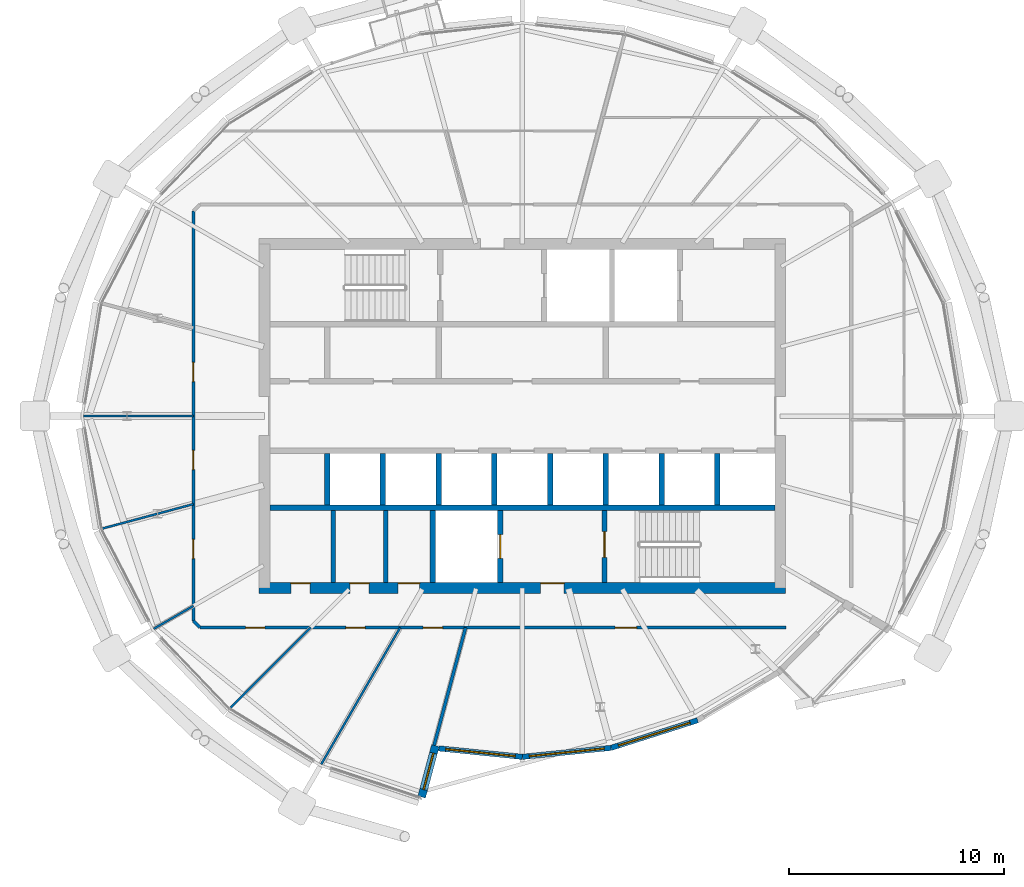
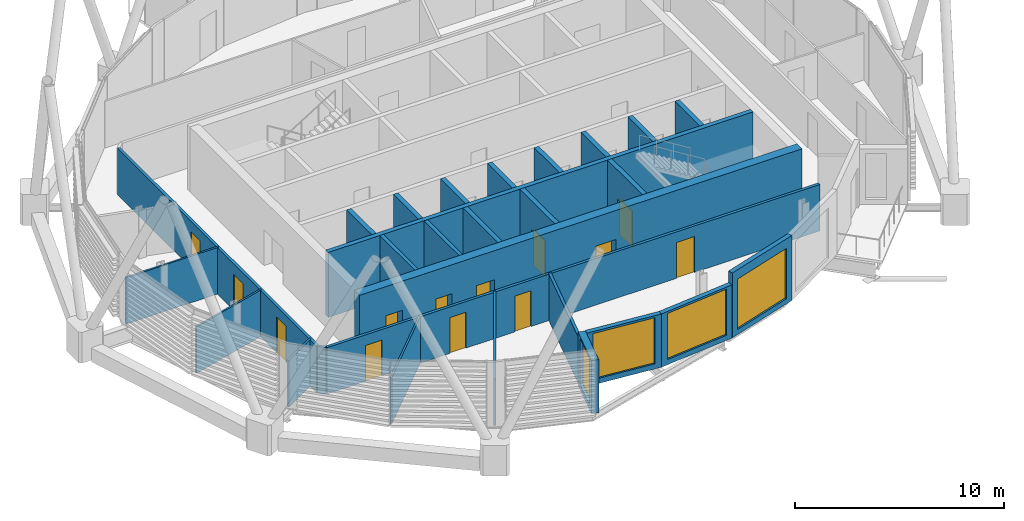
# One storey, part 19 of 32: 28 walls, 13 doors, 4 windows, 17 openings.
"""IFC4 building model written with IfcOpenShell, lengths in metres."""

import ifcopenshell
import ifcopenshell.guid

model = None  # the IFC model being written
_history = None  # IfcOwnerHistory: only IFC2X3 demands one
_inside = {}  # id of a spatial element -> (the spatial element, [elements in it])
_under = {}  # id of a project, library or spatial element -> (it, [spatial elements below it])
_declared = {}  # id of a project -> (the project, [libraries it declares])
_typed = {}  # id of a type object -> (the type object, [elements of that type])
_made_of = {}  # id of a material, layer set ... -> (it, [elements and type objects made of it])


def new_model(schema):
    """Start an empty IFC model of exactly this schema.

    Asked for "IFC4X3", IfcOpenShell would pick the latest addendum, in which some entities
    have other attributes; the version numbers below select the first issue.
    IFC2X3 requires an IfcOwnerHistory on every rooted entity: one is made here for all.
    """
    global model, _history
    if schema == "IFC4X3":
        model = ifcopenshell.file(schema_version=(4, 3, 0, 0))
    else:
        model = ifcopenshell.file(schema=schema)
    _inside.clear()
    _under.clear()
    _declared.clear()
    _typed.clear()
    _made_of.clear()
    _history = None
    if model.schema == "IFC2X3":
        org = make("IfcOrganization", Name="unknown")
        user = make(
            "IfcPersonAndOrganization",
            ThePerson=make("IfcPerson", FamilyName="unknown"),
            TheOrganization=org,
        )
        app = make(
            "IfcApplication",
            ApplicationDeveloper=org,
            Version="unknown",
            ApplicationFullName="unknown",
            ApplicationIdentifier="unknown",
        )
        _history = make(
            "IfcOwnerHistory",
            OwningUser=user,
            OwningApplication=app,
            ChangeAction="ADDED",
            CreationDate=0,
        )
    return model


def make(cls, **values):
    """One entity of the class cls with the attributes given. An attribute that is None is left unset."""
    return model.create_entity(
        cls, **{name: value for name, value in values.items() if value is not None}
    )


def rooted(cls, **values):
    """An entity with a GlobalId (a new one), such as an element, a storey or a relation."""
    return make(cls, GlobalId=ifcopenshell.guid.new(), OwnerHistory=_history, **values)


def si_unit(unit_type, name, prefix=None):
    """IfcSIUnit, for example si_unit("LENGTHUNIT", "METRE", prefix="MILLI")."""
    return make("IfcSIUnit", UnitType=unit_type, Prefix=prefix, Name=name)


def assignment(units):
    """IfcUnitAssignment: the units of a project."""
    return None if units is None else make("IfcUnitAssignment", Units=units)


def point(xyz):
    """IfcCartesianPoint."""
    return None if xyz is None else make("IfcCartesianPoint", Coordinates=xyz)


def direction(xyz):
    """IfcDirection."""
    return None if xyz is None else make("IfcDirection", DirectionRatios=xyz)


def frame(location, z_axis=None, x_axis=None):
    """IfcAxis2Placement3D, a coordinate frame: its origin and axes. An axis left out is left unset."""
    return make(
        "IfcAxis2Placement3D",
        Location=point(location),
        Axis=direction(z_axis),
        RefDirection=direction(x_axis),
    )


def frame_2d(location, x_axis=None):
    """IfcAxis2Placement2D, a coordinate frame in the plane: its origin and x axis."""
    return make(
        "IfcAxis2Placement2D", Location=point(location), RefDirection=direction(x_axis)
    )


def origin():
    """The frame at (0, 0, 0) with its axes left unset."""
    return frame((0.0, 0.0, 0.0))


def place(relative_to, where):
    """IfcLocalPlacement: puts the frame where relative to a parent placement (None: the world)."""
    return make(
        "IfcLocalPlacement", PlacementRelTo=relative_to, RelativePlacement=where
    )


def context(
    kind, dimensions, precision=None, world=None, true_north=None, identifier=None
):
    """IfcGeometricRepresentationContext, for example the 3D "Model" context."""
    return make(
        "IfcGeometricRepresentationContext",
        ContextIdentifier=identifier,
        ContextType=kind,
        CoordinateSpaceDimension=dimensions,
        Precision=precision,
        WorldCoordinateSystem=world,
        TrueNorth=true_north,
    )


def subcontext(parent, identifier, kind, view, scale=None):
    """IfcGeometricRepresentationSubContext, for example "Body" below "Model"."""
    return make(
        "IfcGeometricRepresentationSubContext",
        ContextIdentifier=identifier,
        ContextType=kind,
        ParentContext=parent,
        TargetScale=scale,
        TargetView=view,
    )


def project(units=None, contexts=None):
    """IfcProject with its units and contexts."""
    return rooted(
        "IfcProject",
        Name="project",
        RepresentationContexts=contexts,
        UnitsInContext=assignment(units),
    )


def spatial(cls, under=None, at=None, **own):
    """A site, building, storey or space (cls), placed at a placement, below another one or the project."""
    s = rooted(cls, ObjectPlacement=at, **own)
    if under is not None:
        _under.setdefault(under.id(), (under, []))[1].append(s)
    return s


def profile(cls, at=None, kind="AREA", **sizes):
    """A parametric profile (cls). Its sizes go by their IFC names, for example OverallWidth=200.0."""
    return make(cls, ProfileType=kind, Position=at, **sizes)


def rectangle(**sizes):
    """IfcRectangleProfileDef."""
    return profile("IfcRectangleProfileDef", **sizes)


def extrude(swept, where, along, depth):
    """IfcExtrudedAreaSolid: the profile swept, set in the frame where, extruded along a direction by depth."""
    return make(
        "IfcExtrudedAreaSolid",
        SweptArea=swept,
        Position=where,
        ExtrudedDirection=direction(along),
        Depth=depth,
    )


def shape(context_of_items, identifier, shape_type, items):
    """IfcShapeRepresentation: the items that make up one representation, for example the "Body"."""
    return make(
        "IfcShapeRepresentation",
        ContextOfItems=context_of_items,
        RepresentationIdentifier=identifier,
        RepresentationType=shape_type,
        Items=items,
    )


def material(Name=None, Category=None):
    """IfcMaterial."""
    return make("IfcMaterial", Name=Name, Category=Category)


def layer(
    of_material, thickness, ventilated=None, Name=None, Category=None, Priority=None
):
    """IfcMaterialLayer: one layer of a wall or slab, of a material (None: an air gap)."""
    return make(
        "IfcMaterialLayer",
        Material=of_material,
        LayerThickness=thickness,
        IsVentilated=ventilated,
        Name=Name,
        Category=Category,
        Priority=Priority,
    )


def layer_set(layers, Name=None):
    """IfcMaterialLayerSet."""
    return make("IfcMaterialLayerSet", MaterialLayers=layers, LayerSetName=Name)


def made_of(thing, what):
    """Note that an element or type object is made of a material, layer set ...; save() writes the relation."""
    if what is not None:
        _made_of.setdefault(what.id(), (what, []))[1].append(thing)
    return thing


def type_object(cls, material=None, **own):
    """A type object (cls), such as IfcWallType, which elements share."""
    return made_of(rooted(cls, **own), material)


def element(
    cls,
    number,
    at=None,
    inside=None,
    cuts=None,
    type_object=None,
    material=None,
    context=None,
    identifier="Body",
    shape_type=None,
    held_by="IfcProductDefinitionShape",
    body=None,
    shapes=None,
    **own,
):
    """One element of the class cls, such as IfcWall. Its Tag is "e" and its number.

    at: its placement. inside: the storey or other place that contains it. cuts: it is an
    opening in that element (IfcRelVoidsElement). A single representation is given by context,
    identifier, shape_type and body (its items); several are given by shapes. held_by: the class
    of the entity that holds the representations. save() writes the other relations.
    """
    e = rooted(cls, Tag="e%d" % number, ObjectPlacement=at, **own)
    if body is not None:
        shapes = [shape(context, identifier, shape_type, body)]
    if shapes is not None:
        e.Representation = make(held_by, Representations=shapes)
    if inside is not None:
        _inside.setdefault(inside.id(), (inside, []))[1].append(e)
    if cuts is not None:
        rooted(
            "IfcRelVoidsElement", RelatingBuildingElement=cuts, RelatedOpeningElement=e
        )
    if type_object is not None:
        _typed.setdefault(type_object.id(), (type_object, []))[1].append(e)
    return made_of(e, material)


def fill(opening, filler):
    """IfcRelFillsElement: the door or window that sits in an opening."""
    return rooted(
        "IfcRelFillsElement",
        RelatingOpeningElement=opening,
        RelatedBuildingElement=filler,
    )


def aggregate(whole, parts):
    """IfcRelAggregates: a whole, such as a stair, and the parts it consists of."""
    return rooted("IfcRelAggregates", RelatingObject=whole, RelatedObjects=parts)


def save(model, path):
    """Write the relations noted so far, then the file.

    IfcRelAggregates (storeys below a building ...), IfcRelContainedInSpatialStructure (elements
    in a storey), IfcRelDefinesByType, IfcRelAssociatesMaterial and IfcRelDeclares: one each for
    every whole, place, type object, material and project.
    """
    for whole, parts in _under.values():
        aggregate(whole, parts)
    for where, things in _inside.values():
        rooted(
            "IfcRelContainedInSpatialStructure",
            RelatedElements=things,
            RelatingStructure=where,
        )
    for kind, things in _typed.values():
        rooted("IfcRelDefinesByType", RelatedObjects=things, RelatingType=kind)
    for what, things in _made_of.values():
        rooted("IfcRelAssociatesMaterial", RelatedObjects=things, RelatingMaterial=what)
    for by, libraries in _declared.values():
        rooted("IfcRelDeclares", RelatingContext=by, RelatedDefinitions=libraries)
    model.write(path)


model = new_model("IFC4")

# Units and contexts
model_context = context("Model", 3, precision=1e-05, world=origin(), true_north=direction((0.0, 1.0)))
body_context = subcontext(model_context, "Body", "Model", "MODEL_VIEW")
ifc_project = project(units=[si_unit("LENGTHUNIT", "METRE"), si_unit("AREAUNIT", "SQUARE_METRE"), si_unit("VOLUMEUNIT", "CUBIC_METRE"), si_unit("PLANEANGLEUNIT", "RADIAN"), si_unit("MASSUNIT", "GRAM", prefix="KILO")], contexts=[model_context])

# Site, building, storey
site_placement = place(None, origin())
site = spatial("IfcSite", under=ifc_project, at=site_placement, CompositionType="ELEMENT")
building_placement = place(site_placement, origin())
building = spatial("IfcBuilding", under=site, at=building_placement, Name="Rimbun Link Towers", CompositionType="ELEMENT")
storey_placement = place(building_placement, frame((0.0, 0.0, 233.300048828125)))
storey = spatial("IfcBuildingStorey", under=building, at=storey_placement, Name="L57", CompositionType="ELEMENT", Elevation=233.300048828125)

# Wall, opening, window
ifc_material_1 = material(Name="Dark enamelled glass spandrel on insulated aluminium backpan", Category="aluminium")
ifc_layer_1 = layer(ifc_material_1, 0.25)
ifc_layer_set_1 = layer_set([ifc_layer_1], Name="CS dark enamelled spandrel wall 250")
wall_type_1 = type_object("IfcWallType", Name="CS dark enamelled spandrel wall 250", PredefinedType="STANDARD", material=ifc_layer_set_1)
wall_1_placement = place(storey_placement, frame((-31.75, -15.862548828125, 0.0), z_axis=(0.0, 0.0, 1.0), x_axis=(-0.994917663839, 0.100691817844, 0.0)))
wall_1 = element("IfcWall", 1, at=wall_1_placement, inside=storey, type_object=wall_type_1, Name="Crease spandrel wall", PredefinedType="STANDARD", context=body_context, shape_type="SweptSolid", body=[
    extrude(rectangle(XDim=3.906005859375, YDim=0.25, at=frame_2d((1.953125, 0.0))), origin(), (0.0, 0.0, 1.0), 3.116943359375),
])
opening_1_placement = place(wall_1_placement, frame((0.328125, 0.0, 0.300048828125)))
opening_1 = element("IfcOpeningElement", 2, at=opening_1_placement, cuts=wall_1, Name="Opening WR32H270", PredefinedType="OPENING", context=body_context, shape_type="SweptSolid", body=[
    extrude(rectangle(XDim=3.25, YDim=2.699951171875, at=frame_2d((1.625, 1.35009765625))), frame((0.0, 0.135009765625, 0.0), z_axis=(0.0, -1.0, 0.0), x_axis=(1.0, 0.0, 0.0)), (0.0, 0.0, 1.0), 0.27001953125),
])
ifc_material_2 = material(Name="Aluminium framed fixed window, dark tinted low-e glass", Category="aluminium")
window_type_1 = type_object("IfcWindowType", Name="WR ribbon window 3250X2700", PartitioningType="SINGLE_PANEL", PredefinedType="WINDOW", material=ifc_material_2)
window_1_placement = place(opening_1_placement, origin())
window_1 = element("IfcWindow", 3, at=window_1_placement, inside=storey, type_object=window_type_1, Name="Crease ribbon window", OverallHeight=2.699951171875, OverallWidth=3.25, PartitioningType="SINGLE_PANEL", PredefinedType="WINDOW", context=body_context, shape_type="SweptSolid", body=[
    extrude(rectangle(XDim=3.25, YDim=2.699951171875, at=frame_2d((1.625, 1.35009765625))), frame((0.0, 0.030029296875, 0.0), z_axis=(0.0, -1.0, 0.0), x_axis=(1.0, 0.0, 0.0)), (0.0, 0.0, 1.0), 0.06005859375),
])
fill(opening_1, window_1)

wall_2_placement = place(storey_placement, frame((-27.619140625, -15.444580078125, 0.0), z_axis=(0.0, 0.0, 1.0), x_axis=(-0.994920070472, -0.100668035499, 0.0)))
wall_2 = element("IfcWall", 4, at=wall_2_placement, inside=storey, type_object=wall_type_1, Name="Crease spandrel wall", PredefinedType="STANDARD", context=body_context, shape_type="SweptSolid", body=[
    extrude(rectangle(XDim=4.15185546875, YDim=0.25, at=frame_2d((2.075927734375, 0.0))), origin(), (0.0, 0.0, 1.0), 3.116943359375),
])
opening_2_placement = place(wall_2_placement, frame((0.325927734375, 0.0, 0.300048828125)))
opening_2 = element("IfcOpeningElement", 5, at=opening_2_placement, cuts=wall_2, Name="Opening WR35H270", PredefinedType="OPENING", context=body_context, shape_type="SweptSolid", body=[
    extrude(rectangle(XDim=3.5, YDim=2.699951171875, at=frame_2d((1.75, 1.35009765625))), frame((0.0, 0.135009765625, 0.0), z_axis=(0.0, -1.0, 0.0), x_axis=(1.0, 0.0, 0.0)), (0.0, 0.0, 1.0), 0.27001953125),
])
ifc_material_3 = material(Name="Aluminium framed fixed window, dark tinted low-e glass", Category="aluminium")
window_type_2 = type_object("IfcWindowType", Name="WR ribbon window 3500X2700", PartitioningType="SINGLE_PANEL", PredefinedType="WINDOW", material=ifc_material_3)
window_2_placement = place(opening_2_placement, origin())
window_2 = element("IfcWindow", 6, at=window_2_placement, inside=storey, type_object=window_type_2, Name="Crease ribbon window", OverallHeight=2.699951171875, OverallWidth=3.5, PartitioningType="SINGLE_PANEL", PredefinedType="WINDOW", context=body_context, shape_type="SweptSolid", body=[
    extrude(rectangle(XDim=3.5, YDim=2.699951171875, at=frame_2d((1.75, 1.35009765625))), frame((0.0, 0.030029296875, 0.0), z_axis=(0.0, -1.0, 0.0), x_axis=(1.0, 0.0, 0.0)), (0.0, 0.0, 1.0), 0.06005859375),
])
fill(opening_2, window_2)

wall_3_placement = place(storey_placement, frame((-23.58984375, -14.159423828125, 0.0), z_axis=(0.0, 0.0, 1.0), x_axis=(-0.952713269999, -0.303870737596, 0.0)))
wall_3 = element("IfcWall", 7, at=wall_3_placement, inside=storey, type_object=wall_type_1, Name="Crease spandrel wall", PredefinedType="STANDARD", context=body_context, shape_type="SweptSolid", body=[
    extrude(rectangle(XDim=4.229248046875, YDim=0.25, at=frame_2d((2.11474609375, 0.0))), origin(), (0.0, 0.0, 1.0), 3.800048828125),
])
opening_3_placement = place(wall_3_placement, frame((0.364501953125, 0.0, 0.300048828125)))
opening_3 = element("IfcOpeningElement", 8, at=opening_3_placement, cuts=wall_3, Name="Opening WR35H295", PredefinedType="OPENING", context=body_context, shape_type="SweptSolid", body=[
    extrude(rectangle(XDim=3.5, YDim=2.949951171875, at=frame_2d((1.75, 1.47509765625))), frame((0.0, 0.135009765625, 0.0), z_axis=(0.0, -1.0, 0.0), x_axis=(1.0, 0.0, 0.0)), (0.0, 0.0, 1.0), 0.27001953125),
])
ifc_material_4 = material(Name="Aluminium framed fixed window, dark tinted low-e glass", Category="aluminium")
window_type_3 = type_object("IfcWindowType", Name="WR ribbon window 3500X2950", PartitioningType="SINGLE_PANEL", PredefinedType="WINDOW", material=ifc_material_4)
window_3_placement = place(opening_3_placement, origin())
window_3 = element("IfcWindow", 9, at=window_3_placement, inside=storey, type_object=window_type_3, Name="Crease ribbon window", OverallHeight=2.949951171875, OverallWidth=3.5, PartitioningType="SINGLE_PANEL", PredefinedType="WINDOW", context=body_context, shape_type="SweptSolid", body=[
    extrude(rectangle(XDim=3.5, YDim=2.949951171875, at=frame_2d((1.75, 1.47509765625))), frame((0.0, 0.030029296875, 0.0), z_axis=(0.0, -1.0, 0.0), x_axis=(1.0, 0.0, 0.0)), (0.0, 0.0, 1.0), 0.06005859375),
])
fill(opening_3, window_3)

ifc_material_5 = material(Name="Dark enamelled glass spandrel on insulated aluminium backpan", Category="aluminium")
ifc_layer_2 = layer(ifc_material_5, 0.3701171875)
ifc_layer_set_2 = layer_set([ifc_layer_2], Name="CS dark enamelled spandrel wall 370")
wall_type_2 = type_object("IfcWallType", Name="CS dark enamelled spandrel wall 370", PredefinedType="STANDARD", material=ifc_layer_set_2)
wall_4_placement = place(storey_placement, frame((-35.792724609375, -15.33837890625, 0.0), z_axis=(0.0, 0.0, 1.0), x_axis=(-0.258716401805, -0.965953323633, 0.0)))
wall_4 = element("IfcWall", 10, at=wall_4_placement, inside=storey, type_object=wall_type_2, Name="Crease spandrel wall", PredefinedType="STANDARD", context=body_context, shape_type="SweptSolid", body=[
    extrude(rectangle(XDim=2.47998046875, YDim=0.3701171875, at=frame_2d((1.239990234375, 0.0))), origin(), (0.0, 0.0, 1.0), 3.116943359375),
])
opening_4_placement = place(wall_4_placement, frame((0.364990234375, 0.0, 0.300048828125)))
opening_4 = element("IfcOpeningElement", 11, at=opening_4_placement, cuts=wall_4, Name="Opening WR18H270", PredefinedType="OPENING", context=body_context, shape_type="SweptSolid", body=[
    extrude(rectangle(XDim=1.75, YDim=2.699951171875, at=frame_2d((0.875, 1.35009765625))), frame((0.0, 0.195068359375, 0.0), z_axis=(0.0, -1.0, 0.0), x_axis=(1.0, 0.0, 0.0)), (0.0, 0.0, 1.0), 0.39013671875),
])
ifc_material_6 = material(Name="Aluminium framed fixed window, dark tinted low-e glass", Category="aluminium")
window_type_4 = type_object("IfcWindowType", Name="WR ribbon window 1750X2700", PartitioningType="SINGLE_PANEL", PredefinedType="WINDOW", material=ifc_material_6)
window_4_placement = place(opening_4_placement, origin())
window_4 = element("IfcWindow", 12, at=window_4_placement, inside=storey, type_object=window_type_4, Name="Crease ribbon window", OverallHeight=2.699951171875, OverallWidth=1.75, PartitioningType="SINGLE_PANEL", PredefinedType="WINDOW", context=body_context, shape_type="SweptSolid", body=[
    extrude(rectangle(XDim=1.75, YDim=2.699951171875, at=frame_2d((0.875, 1.35009765625))), frame((0.0, 0.030029296875, 0.0), z_axis=(0.0, -1.0, 0.0), x_axis=(1.0, 0.0, 0.0)), (0.0, 0.0, 1.0), 0.06005859375),
])
fill(opening_4, window_4)

# Walls
ifc_material_7 = material(Name="Masonry blockwork", Category="masonry")
ifc_layer_3 = layer(ifc_material_7, 0.199951171875)
ifc_layer_set_3 = layer_set([ifc_layer_3], Name="Core partition 200")
wall_type_3 = type_object("IfcWallType", Name="Core partition 200", PredefinedType="PARTITIONING", material=ifc_layer_set_3)
for number, where, z_axis, x_axis, name in (
    (13, (-40.550048828125, -4.39990234375, 0.0), (0.0, 0.0, 1.0), (0.0, -1.0, 0.0), "L57 T1 core wall C1"),
    (14, (-38.10009765625, -4.39990234375, 0.0), (0.0, 0.0, 1.0), (0.0, -1.0, 0.0), "L57 T1 core wall C2"),
):
    element("IfcWall", number, at=place(storey_placement, frame(where, z_axis=z_axis, x_axis=x_axis)), inside=storey, type_object=wall_type_3, Name=name, PredefinedType="PARTITIONING", context=body_context, shape_type="SweptSolid", body=[
        extrude(rectangle(XDim=3.35009765625, YDim=0.199951171875, at=frame_2d((1.675048828125, 0.0))), origin(), (0.0, 0.0, 1.0), 3.800048828125),
    ])

# Wall, openings, doors
ifc_material_8 = material(Name="Concrete C60/75", Category="concrete")
ifc_layer_4 = layer(ifc_material_8, 0.5)
ifc_layer_set_4 = layer_set([ifc_layer_4], Name="Core shear wall 500")
wall_type_4 = type_object("IfcWallType", Name="Core shear wall 500", PredefinedType="SHEAR", material=ifc_layer_set_4)
wall_5_placement = place(storey_placement, frame((-44.0, -8.0, 0.0), z_axis=(0.0, 0.0, 1.0), x_axis=(1.0, 0.0, 0.0)))
wall_5 = element("IfcWall", 15, at=wall_5_placement, inside=storey, type_object=wall_type_4, Name="L57 T1 core wall S", PredefinedType="SHEAR", context=body_context, shape_type="SweptSolid", body=[
    extrude(rectangle(XDim=24.5, YDim=0.5, at=frame_2d((12.25, 0.0))), origin(), (0.0, 0.0, 1.0), 3.800048828125),
])
opening_5_placement = place(wall_5_placement, frame((13.10009765625, 0.0, 0.0)))
opening_5 = element("IfcOpeningElement", 16, at=opening_5_placement, cuts=wall_5, Name="Opening C1DCF01S", PredefinedType="OPENING", context=body_context, shape_type="SweptSolid", body=[
    extrude(rectangle(XDim=1.10009765625, YDim=2.10009765625, at=frame_2d((0.550048828125, 1.050048828125))), frame((0.0, 0.260009765625, 0.0), z_axis=(0.0, -1.0, 0.0), x_axis=(1.0, 0.0, 0.0)), (0.0, 0.0, 1.0), 0.52001953125),
])
opening_6_placement = place(wall_5_placement, frame((1.47509765625, 0.0, 0.0)))
opening_6 = element("IfcOpeningElement", 17, at=opening_6_placement, cuts=wall_5, Name="Opening C1DWC02S", PredefinedType="OPENING", context=body_context, shape_type="SweptSolid", body=[
    extrude(rectangle(XDim=0.89990234375, YDim=2.10009765625, at=frame_2d((0.449951171875, 1.050048828125))), frame((0.0, 0.260009765625, 0.0), z_axis=(0.0, -1.0, 0.0), x_axis=(1.0, 0.0, 0.0)), (0.0, 0.0, 1.0), 0.52001953125),
])
opening_7_placement = place(wall_5_placement, frame((4.22509765625, 0.0, 0.0)))
opening_7 = element("IfcOpeningElement", 18, at=opening_7_placement, cuts=wall_5, Name="Opening C1DWC03S", PredefinedType="OPENING", context=body_context, shape_type="SweptSolid", body=[
    extrude(rectangle(XDim=0.89990234375, YDim=2.10009765625, at=frame_2d((0.449951171875, 1.050048828125))), frame((0.0, 0.260009765625, 0.0), z_axis=(0.0, -1.0, 0.0), x_axis=(1.0, 0.0, 0.0)), (0.0, 0.0, 1.0), 0.52001953125),
])
opening_8_placement = place(wall_5_placement, frame((6.47509765625, 0.0, 0.0)))
opening_8 = element("IfcOpeningElement", 19, at=opening_8_placement, cuts=wall_5, Name="Opening C1DAW04S", PredefinedType="OPENING", context=body_context, shape_type="SweptSolid", body=[
    extrude(rectangle(XDim=1.0, YDim=2.10009765625, at=frame_2d((0.5, 1.050048828125))), frame((0.0, 0.260009765625, 0.0), z_axis=(0.0, -1.0, 0.0), x_axis=(1.0, 0.0, 0.0)), (0.0, 0.0, 1.0), 0.52001953125),
])
ifc_material_9 = material(Name="Timber", Category="wood")
door_type_1 = type_object("IfcDoorType", Name="Accessible WC door", OperationType="SINGLE_SWING_LEFT", PredefinedType="DOOR", material=ifc_material_9)
door_1_placement = place(opening_8_placement, origin())
door_1 = element("IfcDoor", 20, at=door_1_placement, inside=storey, type_object=door_type_1, Name="L57 T1 accessible wc door", OperationType="SINGLE_SWING_RIGHT", OverallHeight=2.10009765625, OverallWidth=1.0, PredefinedType="DOOR", context=body_context, shape_type="SweptSolid", body=[
    extrude(rectangle(XDim=1.0, YDim=2.10009765625, at=frame_2d((0.5, 1.050048828125))), frame((0.0, 0.25, 0.0), z_axis=(0.0, -1.0, 0.0), x_axis=(1.0, 0.0, 0.0)), (0.0, 0.0, 1.0), 0.050048828125),
])
fill(opening_8, door_1)
ifc_material_10 = material(Name="Steel fire door set", Category="steel")
door_type_2 = type_object("IfcDoorType", Name="Core fire door single", OperationType="SINGLE_SWING_LEFT", PredefinedType="DOOR", material=ifc_material_10)
door_2_placement = place(opening_5_placement, origin())
door_2 = element("IfcDoor", 21, at=door_2_placement, inside=storey, type_object=door_type_2, Name="L57 T1 firefighting lobby s door", OperationType="SINGLE_SWING_LEFT", OverallHeight=2.10009765625, OverallWidth=1.10009765625, PredefinedType="DOOR", context=body_context, shape_type="SweptSolid", body=[
    extrude(rectangle(XDim=1.10009765625, YDim=2.10009765625, at=frame_2d((0.550048828125, 1.050048828125))), frame((0.0, 0.25, 0.0), z_axis=(0.0, -1.0, 0.0), x_axis=(1.0, 0.0, 0.0)), (0.0, 0.0, 1.0), 0.050048828125),
])
fill(opening_5, door_2)
ifc_material_11 = material(Name="Timber", Category="wood")
door_type_3 = type_object("IfcDoorType", Name="WC door", OperationType="SINGLE_SWING_LEFT", PredefinedType="DOOR", material=ifc_material_11)
door_3_placement = place(opening_6_placement, origin())
door_3 = element("IfcDoor", 22, at=door_3_placement, inside=storey, type_object=door_type_3, Name="L57 T1 male wc door", OperationType="SINGLE_SWING_RIGHT", OverallHeight=2.10009765625, OverallWidth=0.89990234375, PredefinedType="DOOR", context=body_context, shape_type="SweptSolid", body=[
    extrude(rectangle(XDim=0.89990234375, YDim=2.10009765625, at=frame_2d((0.449951171875, 1.050048828125))), frame((0.0, 0.25, 0.0), z_axis=(0.0, -1.0, 0.0), x_axis=(1.0, 0.0, 0.0)), (0.0, 0.0, 1.0), 0.050048828125),
])
fill(opening_6, door_3)
door_4_placement = place(opening_7_placement, origin())
door_4 = element("IfcDoor", 23, at=door_4_placement, inside=storey, type_object=door_type_3, Name="L57 T1 female wc door", OperationType="SINGLE_SWING_RIGHT", OverallHeight=2.10009765625, OverallWidth=0.89990234375, PredefinedType="DOOR", context=body_context, shape_type="SweptSolid", body=[
    extrude(rectangle(XDim=0.89990234375, YDim=2.10009765625, at=frame_2d((0.449951171875, 1.050048828125))), frame((0.0, 0.25, 0.0), z_axis=(0.0, -1.0, 0.0), x_axis=(1.0, 0.0, 0.0)), (0.0, 0.0, 1.0), 0.050048828125),
])
fill(opening_7, door_4)

ifc_material_12 = material(Name="Plasterboard on steel stud, mineral wool", Category="steel")
ifc_layer_5 = layer(ifc_material_12, 0.14990234375)
ifc_layer_set_5 = layer_set([ifc_layer_5], Name="Corridor wall EI 30 150 mm")
wall_type_5 = type_object("IfcWallType", Name="Corridor wall EI 30 150 mm", PredefinedType="PARTITIONING", material=ifc_layer_set_5)
wall_6_placement = place(storey_placement, frame((-19.467041015625, -9.844970703125, 0.0), z_axis=(0.0, 0.0, 1.0), x_axis=(-1.0, 0.0, 0.0)))
wall_6 = element("IfcWall", 24, at=wall_6_placement, inside=storey, type_object=wall_type_5, Name="Corridor wall EI 30 150 mm", PredefinedType="PARTITIONING", context=body_context, shape_type="SweptSolid", body=[
    extrude(rectangle(XDim=27.28662109375, YDim=0.14990234375, at=frame_2d((13.643310546875, 0.0))), origin(), (0.0, 0.0, 1.0), 2.721923828125),
])
opening_9_placement = place(wall_6_placement, frame((24.25732421875, 0.0, 0.0)))
opening_9 = element("IfcOpeningElement", 25, at=opening_9_placement, cuts=wall_6, Name="Opening D02", PredefinedType="OPENING", context=body_context, shape_type="SweptSolid", body=[
    extrude(rectangle(XDim=0.89990234375, YDim=2.10009765625, at=frame_2d((0.449951171875, 1.050048828125))), frame((0.0, 0.0849609375, 0.0), z_axis=(0.0, -1.0, 0.0), x_axis=(1.0, 0.0, 0.0)), (0.0, 0.0, 1.0), 0.169921875),
])
opening_10_placement = place(wall_6_placement, frame((19.597412109375, 0.0, 0.0)))
opening_10 = element("IfcOpeningElement", 26, at=opening_10_placement, cuts=wall_6, Name="Opening D02", PredefinedType="OPENING", context=body_context, shape_type="SweptSolid", body=[
    extrude(rectangle(XDim=0.89990234375, YDim=2.10009765625, at=frame_2d((0.449951171875, 1.050048828125))), frame((0.0, 0.0849609375, 0.0), z_axis=(0.0, -1.0, 0.0), x_axis=(1.0, 0.0, 0.0)), (0.0, 0.0, 1.0), 0.169921875),
])
opening_11_placement = place(wall_6_placement, frame((15.993896484375, 0.0, 0.0)))
opening_11 = element("IfcOpeningElement", 27, at=opening_11_placement, cuts=wall_6, Name="Opening D02", PredefinedType="OPENING", context=body_context, shape_type="SweptSolid", body=[
    extrude(rectangle(XDim=0.89990234375, YDim=2.10009765625, at=frame_2d((0.449951171875, 1.050048828125))), frame((0.0, 0.0849609375, 0.0), z_axis=(0.0, -1.0, 0.0), x_axis=(1.0, 0.0, 0.0)), (0.0, 0.0, 1.0), 0.169921875),
])
opening_12_placement = place(wall_6_placement, frame((6.96044921875, 0.0, 0.0)))
opening_12 = element("IfcOpeningElement", 28, at=opening_12_placement, cuts=wall_6, Name="Opening D01", PredefinedType="OPENING", context=body_context, shape_type="SweptSolid", body=[
    extrude(rectangle(XDim=1.0, YDim=2.10009765625, at=frame_2d((0.5, 1.050048828125))), frame((0.0, 0.0849609375, 0.0), z_axis=(0.0, -1.0, 0.0), x_axis=(1.0, 0.0, 0.0)), (0.0, 0.0, 1.0), 0.169921875),
])
ifc_material_13 = material(Name="Fire-resisting timber door leaf", Category="wood")
door_type_4 = type_object("IfcDoorType", Name="Fire door FD30S 1000", OperationType="NOTDEFINED", PredefinedType="DOOR", material=ifc_material_13)
door_5_placement = place(opening_12_placement, origin())
door_5 = element("IfcDoor", 29, at=door_5_placement, inside=storey, type_object=door_type_4, Name="Fire door FD30S 1000 to Terrace office", OperationType="SINGLE_SWING_RIGHT", OverallHeight=2.10009765625, OverallWidth=1.0, PredefinedType="DOOR", context=body_context, shape_type="SweptSolid", body=[
    extrude(rectangle(XDim=1.0, YDim=2.10009765625, at=frame_2d((0.5, 1.050048828125))), frame((0.0, 0.02490234375, 0.0), z_axis=(0.0, -1.0, 0.0), x_axis=(1.0, 0.0, 0.0)), (0.0, 0.0, 1.0), 0.050048828125),
])
fill(opening_12, door_5)
ifc_material_14 = material(Name="Fire-resisting timber door leaf", Category="wood")
door_type_5 = type_object("IfcDoorType", Name="Fire door FD30S 900", OperationType="NOTDEFINED", PredefinedType="DOOR", material=ifc_material_14)
door_6_placement = place(opening_9_placement, origin())
door_6 = element("IfcDoor", 30, at=door_6_placement, inside=storey, type_object=door_type_5, Name="Fire door FD30S 900 to Boardroom", OperationType="SINGLE_SWING_LEFT", OverallHeight=2.10009765625, OverallWidth=0.89990234375, PredefinedType="DOOR", context=body_context, shape_type="SweptSolid", body=[
    extrude(rectangle(XDim=0.89990234375, YDim=2.10009765625, at=frame_2d((0.449951171875, 1.050048828125))), frame((0.0, 0.02490234375, 0.0), z_axis=(0.0, -1.0, 0.0), x_axis=(1.0, 0.0, 0.0)), (0.0, 0.0, 1.0), 0.050048828125),
])
fill(opening_9, door_6)
door_7_placement = place(opening_10_placement, origin())
door_7 = element("IfcDoor", 31, at=door_7_placement, inside=storey, type_object=door_type_5, Name="Fire door FD30S 900 to Meeting room", OperationType="SINGLE_SWING_RIGHT", OverallHeight=2.10009765625, OverallWidth=0.89990234375, PredefinedType="DOOR", context=body_context, shape_type="SweptSolid", body=[
    extrude(rectangle(XDim=0.89990234375, YDim=2.10009765625, at=frame_2d((0.449951171875, 1.050048828125))), frame((0.0, 0.02490234375, 0.0), z_axis=(0.0, -1.0, 0.0), x_axis=(1.0, 0.0, 0.0)), (0.0, 0.0, 1.0), 0.050048828125),
])
fill(opening_10, door_7)
door_8_placement = place(opening_11_placement, origin())
door_8 = element("IfcDoor", 32, at=door_8_placement, inside=storey, type_object=door_type_5, Name="Fire door FD30S 900 to Executive office", OperationType="SINGLE_SWING_LEFT", OverallHeight=2.10009765625, OverallWidth=0.89990234375, PredefinedType="DOOR", context=body_context, shape_type="SweptSolid", body=[
    extrude(rectangle(XDim=0.89990234375, YDim=2.10009765625, at=frame_2d((0.449951171875, 1.050048828125))), frame((0.0, 0.02490234375, 0.0), z_axis=(0.0, -1.0, 0.0), x_axis=(1.0, 0.0, 0.0)), (0.0, 0.0, 1.0), 0.050048828125),
])
fill(opening_11, door_8)

# Wall
wall_7_placement = place(storey_placement, frame((-47.054931640625, -9.543701171875, 0.0), z_axis=(0.0, 0.0, 1.0), x_axis=(0.707106781187, -0.707106781187, 0.0)))
element("IfcWall", 33, at=wall_7_placement, inside=storey, type_object=wall_type_5, Name="Corridor wall EI 30 150 mm", PredefinedType="PARTITIONING", context=body_context, shape_type="SweptSolid", body=[
    extrude(rectangle(XDim=0.426025390625, YDim=0.14990234375, at=frame_2d((0.212890625, 0.0))), origin(), (0.0, 0.0, 1.0), 2.721923828125),
])

# Wall, openings, doors
wall_8_placement = place(storey_placement, frame((-47.054931640625, -9.543701171875, 0.0), z_axis=(0.0, 0.0, 1.0), x_axis=(0.0, 1.0, 0.0)))
wall_8 = element("IfcWall", 34, at=wall_8_placement, inside=storey, type_object=wall_type_5, Name="Corridor wall EI 30 150 mm", PredefinedType="PARTITIONING", context=body_context, shape_type="SweptSolid", body=[
    extrude(rectangle(XDim=19.08740234375, YDim=0.14990234375, at=frame_2d((9.543701171875, 0.0))), origin(), (0.0, 0.0, 1.0), 2.721923828125),
])
opening_13_placement = place(wall_8_placement, frame((11.144287109375, 0.0, 0.0)))
opening_13 = element("IfcOpeningElement", 35, at=opening_13_placement, cuts=wall_8, Name="Opening D02", PredefinedType="OPENING", context=body_context, shape_type="SweptSolid", body=[
    extrude(rectangle(XDim=0.89990234375, YDim=2.10009765625, at=frame_2d((0.449951171875, 1.050048828125))), frame((0.0, 0.0849609375, 0.0), z_axis=(0.0, -1.0, 0.0), x_axis=(1.0, 0.0, 0.0)), (0.0, 0.0, 1.0), 0.169921875),
])
opening_14_placement = place(wall_8_placement, frame((7.043212890625, 0.0, 0.0)))
opening_14 = element("IfcOpeningElement", 36, at=opening_14_placement, cuts=wall_8, Name="Opening D02", PredefinedType="OPENING", context=body_context, shape_type="SweptSolid", body=[
    extrude(rectangle(XDim=0.89990234375, YDim=2.10009765625, at=frame_2d((0.449951171875, 1.050048828125))), frame((0.0, 0.0849609375, 0.0), z_axis=(0.0, -1.0, 0.0), x_axis=(1.0, 0.0, 0.0)), (0.0, 0.0, 1.0), 0.169921875),
])
opening_15_placement = place(wall_8_placement, frame((2.9033203125, 0.0, 0.0)))
opening_15 = element("IfcOpeningElement", 37, at=opening_15_placement, cuts=wall_8, Name="Opening D02", PredefinedType="OPENING", context=body_context, shape_type="SweptSolid", body=[
    extrude(rectangle(XDim=0.89990234375, YDim=2.10009765625, at=frame_2d((0.449951171875, 1.050048828125))), frame((0.0, 0.0849609375, 0.0), z_axis=(0.0, -1.0, 0.0), x_axis=(1.0, 0.0, 0.0)), (0.0, 0.0, 1.0), 0.169921875),
])
door_9_placement = place(opening_13_placement, origin())
door_9 = element("IfcDoor", 38, at=door_9_placement, inside=storey, type_object=door_type_5, Name="Fire door FD30S 900 to Meeting room", OperationType="SINGLE_SWING_RIGHT", OverallHeight=2.10009765625, OverallWidth=0.89990234375, PredefinedType="DOOR", context=body_context, shape_type="SweptSolid", body=[
    extrude(rectangle(XDim=0.89990234375, YDim=2.10009765625, at=frame_2d((0.449951171875, 1.050048828125))), frame((0.0, 0.02490234375, 0.0), z_axis=(0.0, -1.0, 0.0), x_axis=(1.0, 0.0, 0.0)), (0.0, 0.0, 1.0), 0.050048828125),
])
fill(opening_13, door_9)
door_10_placement = place(opening_14_placement, origin())
door_10 = element("IfcDoor", 39, at=door_10_placement, inside=storey, type_object=door_type_5, Name="Fire door FD30S 900 to Executive office", OperationType="SINGLE_SWING_LEFT", OverallHeight=2.10009765625, OverallWidth=0.89990234375, PredefinedType="DOOR", context=body_context, shape_type="SweptSolid", body=[
    extrude(rectangle(XDim=0.89990234375, YDim=2.10009765625, at=frame_2d((0.449951171875, 1.050048828125))), frame((0.0, 0.02490234375, 0.0), z_axis=(0.0, -1.0, 0.0), x_axis=(1.0, 0.0, 0.0)), (0.0, 0.0, 1.0), 0.050048828125),
])
fill(opening_14, door_10)
door_11_placement = place(opening_15_placement, origin())
door_11 = element("IfcDoor", 40, at=door_11_placement, inside=storey, type_object=door_type_5, Name="Fire door FD30S 900 to Open office", OperationType="SINGLE_SWING_RIGHT", OverallHeight=2.10009765625, OverallWidth=0.89990234375, PredefinedType="DOOR", context=body_context, shape_type="SweptSolid", body=[
    extrude(rectangle(XDim=0.89990234375, YDim=2.10009765625, at=frame_2d((0.449951171875, 1.050048828125))), frame((0.0, 0.02490234375, 0.0), z_axis=(0.0, -1.0, 0.0), x_axis=(1.0, 0.0, 0.0)), (0.0, 0.0, 1.0), 0.050048828125),
])
fill(opening_15, door_11)

# Walls
ifc_material_15 = material(Name="Plasterboard on steel stud", Category="steel")
ifc_layer_6 = layer(ifc_material_15, 0.10009765625)
ifc_layer_set_6 = layer_set([ifc_layer_6], Name="Plasterboard partition 100 mm")
wall_type_6 = type_object("IfcWallType", Name="Plasterboard partition 100 mm", PredefinedType="PARTITIONING", material=ifc_layer_set_6)
wall_9_placement = place(storey_placement, frame((-52.17529296875, 0.0, 0.0), z_axis=(0.0, 0.0, 1.0), x_axis=(1.0, 0.0, 0.0)))
element("IfcWall", 41, at=wall_9_placement, inside=storey, type_object=wall_type_6, Name="Plasterboard partition 100 mm", PredefinedType="PARTITIONING", context=body_context, shape_type="SweptSolid", body=[
    extrude(rectangle(XDim=5.120361328125, YDim=0.10009765625, at=frame_2d((2.56005859375, 0.0))), origin(), (0.0, 0.0, 1.0), 2.721923828125),
])
wall_10_placement = place(storey_placement, frame((-51.313232421875, -5.241943359375, 0.0), z_axis=(0.0, 0.0, 1.0), x_axis=(0.965933714886, 0.258789602664, 0.0)))
element("IfcWall", 42, at=wall_10_placement, inside=storey, type_object=wall_type_6, Name="Plasterboard partition 100 mm", PredefinedType="PARTITIONING", context=body_context, shape_type="SweptSolid", body=[
    extrude(rectangle(XDim=4.408447265625, YDim=0.10009765625, at=frame_2d((2.2041015625, 0.0))), origin(), (0.0, 0.0, 1.0), 2.721923828125),
])
wall_11_placement = place(storey_placement, frame((-48.901611328125, -9.902587890625, 0.0), z_axis=(0.0, 0.0, 1.0), x_axis=(0.866029242824, 0.49999335053, 0.0)))
element("IfcWall", 43, at=wall_11_placement, inside=storey, type_object=wall_type_6, Name="Plasterboard partition 100 mm", PredefinedType="PARTITIONING", context=body_context, shape_type="SweptSolid", body=[
    extrude(rectangle(XDim=2.13232421875, YDim=0.10009765625, at=frame_2d((1.066162109375, 0.0))), origin(), (0.0, 0.0, 1.0), 2.721923828125),
])
wall_12_placement = place(storey_placement, frame((-45.353515625, -13.603515625, 0.0), z_axis=(0.0, 0.0, 1.0), x_axis=(0.707106781187, 0.707106781187, 0.0)))
element("IfcWall", 44, at=wall_12_placement, inside=storey, type_object=wall_type_6, Name="Plasterboard partition 100 mm", PredefinedType="PARTITIONING", context=body_context, shape_type="SweptSolid", body=[
    extrude(rectangle(XDim=5.3154296875, YDim=0.10009765625, at=frame_2d((2.65771484375, 0.0))), origin(), (0.0, 0.0, 1.0), 2.721923828125),
])
wall_13_placement = place(storey_placement, frame((-41.108642578125, -16.209716796875, 0.0), z_axis=(0.0, 0.0, 1.0), x_axis=(0.499987006516, 0.866032905446, 0.0)))
element("IfcWall", 45, at=wall_13_placement, inside=storey, type_object=wall_type_6, Name="Plasterboard partition 100 mm", PredefinedType="PARTITIONING", context=body_context, shape_type="SweptSolid", body=[
    extrude(rectangle(XDim=7.349365234375, YDim=0.10009765625, at=frame_2d((3.6748046875, 0.0))), origin(), (0.0, 0.0, 1.0), 2.721923828125),
])
ifc_material_16 = material(Name="Concrete C60/75", Category="concrete")
ifc_layer_7 = layer(ifc_material_16, 0.25)
ifc_layer_set_7 = layer_set([ifc_layer_7], Name="Shaft wall 250")
wall_type_7 = type_object("IfcWallType", Name="Shaft wall 250", PredefinedType="SHEAR", material=ifc_layer_set_7)
wall_14_placement = place(storey_placement, frame((-43.5, -4.27490234375, 0.0), z_axis=(0.0, 0.0, 1.0), x_axis=(1.0, 0.0, 0.0)))
element("IfcWall", 46, at=wall_14_placement, inside=storey, type_object=wall_type_7, Name="L57 T1 core wall BS", PredefinedType="SHEAR", context=body_context, shape_type="SweptSolid", body=[
    extrude(rectangle(XDim=23.5, YDim=0.25, at=frame_2d((11.75, 0.0))), origin(), (0.0, 0.0, 1.0), 3.800048828125),
])
for number, where, z_axis, x_axis, name in (
    (47, (-40.83056640625, -4.14990234375, 0.0), (0.0, 0.0, 1.0), (0.0, 1.0, 0.0), "L57 T1 core wall DS0"),
    (48, (-38.236083984375, -4.14990234375, 0.0), (0.0, 0.0, 1.0), (0.0, 1.0, 0.0), "L57 T1 core wall DS1"),
    (49, (-35.6416015625, -4.14990234375, 0.0), (0.0, 0.0, 1.0), (0.0, 1.0, 0.0), "L57 T1 core wall DS2"),
    (50, (-33.047119140625, -4.14990234375, 0.0), (0.0, 0.0, 1.0), (0.0, 1.0, 0.0), "L57 T1 core wall DS3"),
    (51, (-30.452880859375, -4.14990234375, 0.0), (0.0, 0.0, 1.0), (0.0, 1.0, 0.0), "L57 T1 core wall DS4"),
    (52, (-27.8583984375, -4.14990234375, 0.0), (0.0, 0.0, 1.0), (0.0, 1.0, 0.0), "L57 T1 core wall DS5"),
    (53, (-25.263916015625, -4.14990234375, 0.0), (0.0, 0.0, 1.0), (0.0, 1.0, 0.0), "L57 T1 core wall DS6"),
    (54, (-22.66943359375, -4.14990234375, 0.0), (0.0, 0.0, 1.0), (0.0, 1.0, 0.0), "L57 T1 core wall DS7"),
):
    element("IfcWall", number, at=place(storey_placement, frame(where, z_axis=z_axis, x_axis=x_axis)), inside=storey, type_object=wall_type_7, Name=name, PredefinedType="SHEAR", context=body_context, shape_type="SweptSolid", body=[
        extrude(rectangle(XDim=2.39990234375, YDim=0.25, at=frame_2d((1.199951171875, 0.0))), origin(), (0.0, 0.0, 1.0), 3.800048828125),
    ])

# Wall, opening, door
wall_15_placement = place(storey_placement, frame((-27.925048828125, -4.39990234375, 0.0), z_axis=(0.0, 0.0, 1.0), x_axis=(0.0, -1.0, 0.0)))
wall_15 = element("IfcWall", 55, at=wall_15_placement, inside=storey, type_object=wall_type_7, Name="L57 T1 core wall B1", PredefinedType="SHEAR", context=body_context, shape_type="SweptSolid", body=[
    extrude(rectangle(XDim=3.35009765625, YDim=0.25, at=frame_2d((1.675048828125, 0.0))), origin(), (0.0, 0.0, 1.0), 3.800048828125),
])
opening_16_placement = place(wall_15_placement, frame((0.97509765625, 0.0, 0.0)))
opening_16 = element("IfcOpeningElement", 56, at=opening_16_placement, cuts=wall_15, Name="Opening C1DST01B1", PredefinedType="OPENING", context=body_context, shape_type="SweptSolid", body=[
    extrude(rectangle(XDim=1.199951171875, YDim=2.10009765625, at=frame_2d((0.60009765625, 1.050048828125))), frame((0.0, 0.135009765625, 0.0), z_axis=(0.0, -1.0, 0.0), x_axis=(1.0, 0.0, 0.0)), (0.0, 0.0, 1.0), 0.27001953125),
])
ifc_material_17 = material(Name="Steel fire door set", Category="steel")
door_type_6 = type_object("IfcDoorType", Name="Stair door", OperationType="SINGLE_SWING_LEFT", PredefinedType="DOOR", material=ifc_material_17)
door_12_placement = place(opening_16_placement, origin())
door_12 = element("IfcDoor", 57, at=door_12_placement, inside=storey, type_object=door_type_6, Name="L57 T1 stair b door", OperationType="SINGLE_SWING_RIGHT", OverallHeight=2.10009765625, OverallWidth=1.199951171875, PredefinedType="DOOR", context=body_context, shape_type="SweptSolid", body=[
    extrude(rectangle(XDim=1.199951171875, YDim=2.10009765625, at=frame_2d((0.60009765625, 1.050048828125))), frame((0.0, 0.02490234375, 0.0), z_axis=(0.0, -1.0, 0.0), x_axis=(1.0, 0.0, 0.0)), (0.0, 0.0, 1.0), 0.050048828125),
])
fill(opening_16, door_12)

wall_16_placement = place(storey_placement, frame((-32.77490234375, -4.39990234375, 0.0), z_axis=(0.0, 0.0, 1.0), x_axis=(0.0, -1.0, 0.0)))
wall_16 = element("IfcWall", 58, at=wall_16_placement, inside=storey, type_object=wall_type_7, Name="L57 T1 core wall B2", PredefinedType="SHEAR", context=body_context, shape_type="SweptSolid", body=[
    extrude(rectangle(XDim=3.35009765625, YDim=0.25, at=frame_2d((1.675048828125, 0.0))), origin(), (0.0, 0.0, 1.0), 3.800048828125),
])
opening_17_placement = place(wall_16_placement, frame((1.125, 0.0, 0.0)))
opening_17 = element("IfcOpeningElement", 59, at=opening_17_placement, cuts=wall_16, Name="Opening LD-T1-FF2", PredefinedType="OPENING", context=body_context, shape_type="SweptSolid", body=[
    extrude(rectangle(XDim=1.10009765625, YDim=2.10009765625, at=frame_2d((0.550048828125, 1.050048828125))), frame((0.0, 0.135009765625, 0.0), z_axis=(0.0, -1.0, 0.0), x_axis=(1.0, 0.0, 0.0)), (0.0, 0.0, 1.0), 0.27001953125),
])
ifc_material_18 = material(Name="Stainless steel grade 316", Category="steel")
door_type_7 = type_object("IfcDoorType", Name="Lift landing door", OperationType="DOUBLE_DOOR_SLIDING", PredefinedType="DOOR", material=ifc_material_18)
door_13_placement = place(opening_17_placement, origin())
door_13 = element("IfcDoor", 60, at=door_13_placement, inside=storey, type_object=door_type_7, Name="L57 T1 lift FF2 landing door", OperationType="DOUBLE_DOOR_SLIDING", OverallHeight=2.10009765625, OverallWidth=1.10009765625, PredefinedType="DOOR", context=body_context, shape_type="SweptSolid", body=[
    extrude(rectangle(XDim=1.10009765625, YDim=2.10009765625, at=frame_2d((0.550048828125, 1.050048828125))), frame((0.0, 0.02490234375, 0.0), z_axis=(0.0, -1.0, 0.0), x_axis=(1.0, 0.0, 0.0)), (0.0, 0.0, 1.0), 0.050048828125),
])
fill(opening_17, door_13)

# Walls
wall_17_placement = place(storey_placement, frame((-35.925048828125, -4.39990234375, 0.0), z_axis=(0.0, 0.0, 1.0), x_axis=(0.0, -1.0, 0.0)))
element("IfcWall", 61, at=wall_17_placement, inside=storey, type_object=wall_type_7, Name="L57 T1 core wall B3", PredefinedType="SHEAR", context=body_context, shape_type="SweptSolid", body=[
    extrude(rectangle(XDim=3.35009765625, YDim=0.25, at=frame_2d((1.675048828125, 0.0))), origin(), (0.0, 0.0, 1.0), 3.800048828125),
])
ifc_material_19 = material(Name="Plasterboard on steel stud, mineral wool", Category="steel")
ifc_layer_8 = layer(ifc_material_19, 0.14990234375)
ifc_layer_set_8 = layer_set([ifc_layer_8], Name="Tenancy separation wall EI 60 150 mm")
wall_type_8 = type_object("IfcWallType", Name="Tenancy separation wall EI 60 150 mm", PredefinedType="PARTITIONING", material=ifc_layer_set_8)
wall_18_placement = place(storey_placement, frame((-34.387939453125, -9.844970703125, 0.0), z_axis=(0.0, 0.0, 1.0), x_axis=(-0.25883365753, -0.965921910782, 0.0)))
element("IfcWall", 62, at=wall_18_placement, inside=storey, type_object=wall_type_8, Name="Tenancy separation wall EI 60 150 mm", PredefinedType="PARTITIONING", context=body_context, shape_type="SweptSolid", body=[
    extrude(rectangle(XDim=5.669677734375, YDim=0.14990234375, at=frame_2d((2.8349609375, 0.0))), origin(), (0.0, 0.0, 1.0), 2.721923828125),
])

save(model, "model.ifc")
